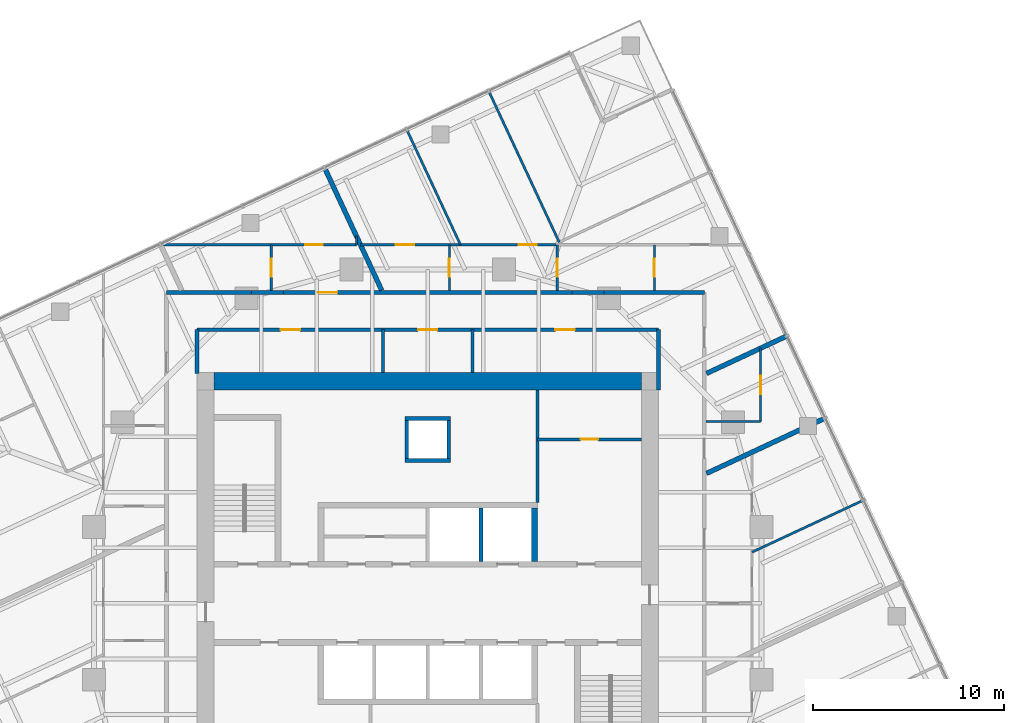
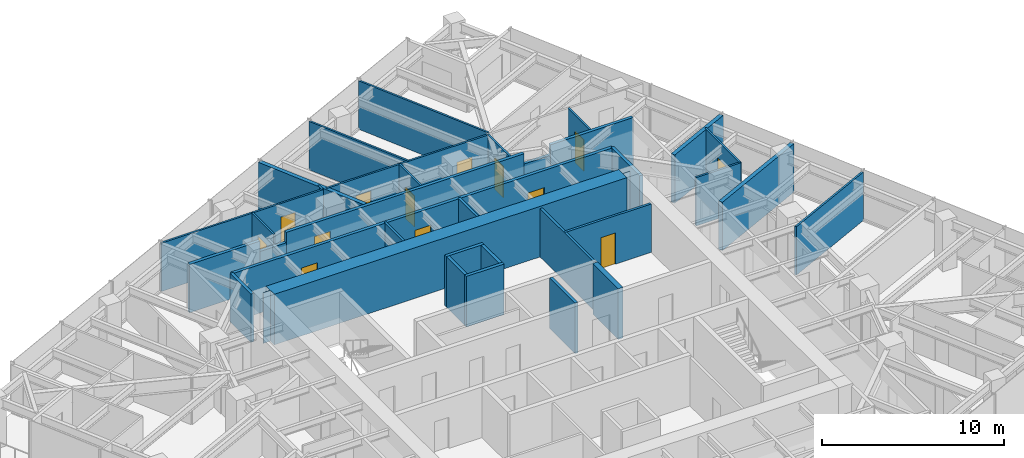
# One storey, part 11 of 13: 34 walls, 13 doors, 13 openings.
"""IFC4 building model written with IfcOpenShell, lengths in metres."""

import ifcopenshell
import ifcopenshell.guid

model = None  # the IFC model being written
_history = None  # IfcOwnerHistory: only IFC2X3 demands one
_inside = {}  # id of a spatial element -> (the spatial element, [elements in it])
_under = {}  # id of a project, library or spatial element -> (it, [spatial elements below it])
_declared = {}  # id of a project -> (the project, [libraries it declares])
_typed = {}  # id of a type object -> (the type object, [elements of that type])
_made_of = {}  # id of a material, layer set ... -> (it, [elements and type objects made of it])


def new_model(schema):
    """Start an empty IFC model of exactly this schema.

    Asked for "IFC4X3", IfcOpenShell would pick the latest addendum, in which some entities
    have other attributes; the version numbers below select the first issue.
    IFC2X3 requires an IfcOwnerHistory on every rooted entity: one is made here for all.
    """
    global model, _history
    if schema == "IFC4X3":
        model = ifcopenshell.file(schema_version=(4, 3, 0, 0))
    else:
        model = ifcopenshell.file(schema=schema)
    _inside.clear()
    _under.clear()
    _declared.clear()
    _typed.clear()
    _made_of.clear()
    _history = None
    if model.schema == "IFC2X3":
        org = make("IfcOrganization", Name="unknown")
        user = make(
            "IfcPersonAndOrganization",
            ThePerson=make("IfcPerson", FamilyName="unknown"),
            TheOrganization=org,
        )
        app = make(
            "IfcApplication",
            ApplicationDeveloper=org,
            Version="unknown",
            ApplicationFullName="unknown",
            ApplicationIdentifier="unknown",
        )
        _history = make(
            "IfcOwnerHistory",
            OwningUser=user,
            OwningApplication=app,
            ChangeAction="ADDED",
            CreationDate=0,
        )
    return model


def make(cls, **values):
    """One entity of the class cls with the attributes given. An attribute that is None is left unset."""
    return model.create_entity(
        cls, **{name: value for name, value in values.items() if value is not None}
    )


def rooted(cls, **values):
    """An entity with a GlobalId (a new one), such as an element, a storey or a relation."""
    return make(cls, GlobalId=ifcopenshell.guid.new(), OwnerHistory=_history, **values)


def si_unit(unit_type, name, prefix=None):
    """IfcSIUnit, for example si_unit("LENGTHUNIT", "METRE", prefix="MILLI")."""
    return make("IfcSIUnit", UnitType=unit_type, Prefix=prefix, Name=name)


def assignment(units):
    """IfcUnitAssignment: the units of a project."""
    return None if units is None else make("IfcUnitAssignment", Units=units)


def point(xyz):
    """IfcCartesianPoint."""
    return None if xyz is None else make("IfcCartesianPoint", Coordinates=xyz)


def direction(xyz):
    """IfcDirection."""
    return None if xyz is None else make("IfcDirection", DirectionRatios=xyz)


def frame(location, z_axis=None, x_axis=None):
    """IfcAxis2Placement3D, a coordinate frame: its origin and axes. An axis left out is left unset."""
    return make(
        "IfcAxis2Placement3D",
        Location=point(location),
        Axis=direction(z_axis),
        RefDirection=direction(x_axis),
    )


def frame_2d(location, x_axis=None):
    """IfcAxis2Placement2D, a coordinate frame in the plane: its origin and x axis."""
    return make(
        "IfcAxis2Placement2D", Location=point(location), RefDirection=direction(x_axis)
    )


def origin():
    """The frame at (0, 0, 0) with its axes left unset."""
    return frame((0.0, 0.0, 0.0))


def place(relative_to, where):
    """IfcLocalPlacement: puts the frame where relative to a parent placement (None: the world)."""
    return make(
        "IfcLocalPlacement", PlacementRelTo=relative_to, RelativePlacement=where
    )


def context(
    kind, dimensions, precision=None, world=None, true_north=None, identifier=None
):
    """IfcGeometricRepresentationContext, for example the 3D "Model" context."""
    return make(
        "IfcGeometricRepresentationContext",
        ContextIdentifier=identifier,
        ContextType=kind,
        CoordinateSpaceDimension=dimensions,
        Precision=precision,
        WorldCoordinateSystem=world,
        TrueNorth=true_north,
    )


def subcontext(parent, identifier, kind, view, scale=None):
    """IfcGeometricRepresentationSubContext, for example "Body" below "Model"."""
    return make(
        "IfcGeometricRepresentationSubContext",
        ContextIdentifier=identifier,
        ContextType=kind,
        ParentContext=parent,
        TargetScale=scale,
        TargetView=view,
    )


def project(units=None, contexts=None):
    """IfcProject with its units and contexts."""
    return rooted(
        "IfcProject",
        Name="project",
        RepresentationContexts=contexts,
        UnitsInContext=assignment(units),
    )


def spatial(cls, under=None, at=None, **own):
    """A site, building, storey or space (cls), placed at a placement, below another one or the project."""
    s = rooted(cls, ObjectPlacement=at, **own)
    if under is not None:
        _under.setdefault(under.id(), (under, []))[1].append(s)
    return s


def polyline(points):
    """IfcPolyline through the points."""
    return make("IfcPolyline", Points=[point(p) for p in points])


def profile(cls, at=None, kind="AREA", **sizes):
    """A parametric profile (cls). Its sizes go by their IFC names, for example OverallWidth=200.0."""
    return make(cls, ProfileType=kind, Position=at, **sizes)


def rectangle(**sizes):
    """IfcRectangleProfileDef."""
    return profile("IfcRectangleProfileDef", **sizes)


def outline(outer, holes=None, kind="AREA"):
    """IfcArbitraryClosedProfileDef: a profile drawn as a closed curve; with holes, ...WithVoids."""
    if holes is None:
        return make("IfcArbitraryClosedProfileDef", ProfileType=kind, OuterCurve=outer)
    return make(
        "IfcArbitraryProfileDefWithVoids",
        ProfileType=kind,
        OuterCurve=outer,
        InnerCurves=holes,
    )


def extrude(swept, where, along, depth):
    """IfcExtrudedAreaSolid: the profile swept, set in the frame where, extruded along a direction by depth."""
    return make(
        "IfcExtrudedAreaSolid",
        SweptArea=swept,
        Position=where,
        ExtrudedDirection=direction(along),
        Depth=depth,
    )


def shape(context_of_items, identifier, shape_type, items):
    """IfcShapeRepresentation: the items that make up one representation, for example the "Body"."""
    return make(
        "IfcShapeRepresentation",
        ContextOfItems=context_of_items,
        RepresentationIdentifier=identifier,
        RepresentationType=shape_type,
        Items=items,
    )


def material(Name=None, Category=None):
    """IfcMaterial."""
    return make("IfcMaterial", Name=Name, Category=Category)


def layer(
    of_material, thickness, ventilated=None, Name=None, Category=None, Priority=None
):
    """IfcMaterialLayer: one layer of a wall or slab, of a material (None: an air gap)."""
    return make(
        "IfcMaterialLayer",
        Material=of_material,
        LayerThickness=thickness,
        IsVentilated=ventilated,
        Name=Name,
        Category=Category,
        Priority=Priority,
    )


def layer_set(layers, Name=None):
    """IfcMaterialLayerSet."""
    return make("IfcMaterialLayerSet", MaterialLayers=layers, LayerSetName=Name)


def made_of(thing, what):
    """Note that an element or type object is made of a material, layer set ...; save() writes the relation."""
    if what is not None:
        _made_of.setdefault(what.id(), (what, []))[1].append(thing)
    return thing


def type_object(cls, material=None, **own):
    """A type object (cls), such as IfcWallType, which elements share."""
    return made_of(rooted(cls, **own), material)


def element(
    cls,
    number,
    at=None,
    inside=None,
    cuts=None,
    type_object=None,
    material=None,
    context=None,
    identifier="Body",
    shape_type=None,
    held_by="IfcProductDefinitionShape",
    body=None,
    shapes=None,
    **own,
):
    """One element of the class cls, such as IfcWall. Its Tag is "e" and its number.

    at: its placement. inside: the storey or other place that contains it. cuts: it is an
    opening in that element (IfcRelVoidsElement). A single representation is given by context,
    identifier, shape_type and body (its items); several are given by shapes. held_by: the class
    of the entity that holds the representations. save() writes the other relations.
    """
    e = rooted(cls, Tag="e%d" % number, ObjectPlacement=at, **own)
    if body is not None:
        shapes = [shape(context, identifier, shape_type, body)]
    if shapes is not None:
        e.Representation = make(held_by, Representations=shapes)
    if inside is not None:
        _inside.setdefault(inside.id(), (inside, []))[1].append(e)
    if cuts is not None:
        rooted(
            "IfcRelVoidsElement", RelatingBuildingElement=cuts, RelatedOpeningElement=e
        )
    if type_object is not None:
        _typed.setdefault(type_object.id(), (type_object, []))[1].append(e)
    return made_of(e, material)


def fill(opening, filler):
    """IfcRelFillsElement: the door or window that sits in an opening."""
    return rooted(
        "IfcRelFillsElement",
        RelatingOpeningElement=opening,
        RelatedBuildingElement=filler,
    )


def aggregate(whole, parts):
    """IfcRelAggregates: a whole, such as a stair, and the parts it consists of."""
    return rooted("IfcRelAggregates", RelatingObject=whole, RelatedObjects=parts)


def save(model, path):
    """Write the relations noted so far, then the file.

    IfcRelAggregates (storeys below a building ...), IfcRelContainedInSpatialStructure (elements
    in a storey), IfcRelDefinesByType, IfcRelAssociatesMaterial and IfcRelDeclares: one each for
    every whole, place, type object, material and project.
    """
    for whole, parts in _under.values():
        aggregate(whole, parts)
    for where, things in _inside.values():
        rooted(
            "IfcRelContainedInSpatialStructure",
            RelatedElements=things,
            RelatingStructure=where,
        )
    for kind, things in _typed.values():
        rooted("IfcRelDefinesByType", RelatedObjects=things, RelatingType=kind)
    for what, things in _made_of.values():
        rooted("IfcRelAssociatesMaterial", RelatedObjects=things, RelatingMaterial=what)
    for by, libraries in _declared.values():
        rooted("IfcRelDeclares", RelatingContext=by, RelatedDefinitions=libraries)
    model.write(path)


model = new_model("IFC4")

# Units and contexts
model_context = context("Model", 3, precision=1e-05, world=origin(), true_north=direction((0.0, 1.0)))
body_context = subcontext(model_context, "Body", "Model", "MODEL_VIEW")
ifc_project = project(units=[si_unit("LENGTHUNIT", "METRE"), si_unit("AREAUNIT", "SQUARE_METRE"), si_unit("VOLUMEUNIT", "CUBIC_METRE"), si_unit("PLANEANGLEUNIT", "RADIAN"), si_unit("MASSUNIT", "GRAM", prefix="KILO")], contexts=[model_context])

# Site, building, storey
site_placement = place(None, origin())
site = spatial("IfcSite", under=ifc_project, at=site_placement, CompositionType="ELEMENT")
building_placement = place(site_placement, origin())
building = spatial("IfcBuilding", under=site, at=building_placement, Name="Torsade Residences", CompositionType="ELEMENT")
storey_placement = place(building_placement, frame((0.0, 0.0, 182.800048828125)))
storey = spatial("IfcBuildingStorey", under=building, at=storey_placement, Name="L50", CompositionType="ELEMENT", Elevation=182.800048828125)

# Walls
ifc_material_1 = material(Name="Concrete 80 MPa", Category="concrete")
ifc_layer_1 = layer(ifc_material_1, 0.300048828125)
ifc_layer_set_1 = layer_set([ifc_layer_1], Name="Concrete 80 MPa")
wall_type_1 = type_object("IfcWallType", Name="CORE INTERNAL WALL 300", PredefinedType="SHEAR", material=ifc_layer_set_1)
wall_1_placement = place(storey_placement, frame((45.60009765625, 32.199951171875, 0.0), z_axis=(0.0, 0.0, 1.0), x_axis=(0.0, 1.0, 0.0)))
element("IfcWall", 1, at=wall_1_placement, inside=storey, type_object=wall_type_1, Name="Core wall DN4 L50", PredefinedType="SHEAR", context=body_context, shape_type="SweptSolid", body=[
    extrude(rectangle(XDim=2.800048828125, YDim=0.300048828125, at=frame_2d((1.39990234375, 0.0))), origin(), (0.0, 0.0, 1.0), 3.39990234375),
])
ifc_material_2 = material(Name="Concrete 80 MPa", Category="concrete")
ifc_layer_2 = layer(ifc_material_2, 0.89990234375)
ifc_layer_set_2 = layer_set([ifc_layer_2], Name="Concrete 80 MPa")
wall_type_2 = type_object("IfcWallType", Name="CORE WALL 900", PredefinedType="SHEAR", material=ifc_layer_set_2)
wall_2_placement = place(storey_placement, frame((28.800048828125, 41.64990234375, 0.0), z_axis=(0.0, 0.0, 1.0), x_axis=(1.0, 0.0, 0.0)))
element("IfcWall", 2, at=wall_2_placement, inside=storey, type_object=wall_type_2, Name="Core wall N L50", PredefinedType="SHEAR", context=body_context, shape_type="SweptSolid", body=[
    extrude(outline(polyline([(0.0, -0.449951171875), (22.39990234375, -0.449951171875), (22.39990234375, -0.02490234375), (22.849853515625, -0.02490234375), (22.849853515625, 0.02490234375), (22.39990234375, 0.02490234375), (22.39990234375, 0.449951171875), (0.0, 0.449951171875), (0.0, 0.02490234375), (-0.449951171875, 0.02490234375), (-0.449951171875, -0.02490234375), (0.0, -0.02490234375), (0.0, -0.449951171875)])), origin(), (0.0, 0.0, 1.0), 3.39990234375),
])
ifc_material_3 = material(Name="Plasterboard on steel stud", Category="steel")
ifc_layer_3 = layer(ifc_material_3, 0.199951171875)
ifc_layer_set_3 = layer_set([ifc_layer_3], Name="Plasterboard on steel stud")
wall_type_3 = type_object("IfcWallType", Name="CORRIDOR WALL 200", PredefinedType="PARTITIONING", material=ifc_layer_set_3)
wall_3_placement = place(storey_placement, frame((54.5, 46.300048828125, 0.0), z_axis=(0.0, 0.0, 1.0), x_axis=(-1.0, 0.0, 0.0)))
element("IfcWall", 3, at=wall_3_placement, inside=storey, type_object=wall_type_3, Name="Corridor wall L50", PredefinedType="PARTITIONING", context=body_context, shape_type="SweptSolid", body=[
    extrude(rectangle(XDim=5.25830078125, YDim=0.199951171875, at=frame_2d((2.629150390625, 0.0))), origin(), (0.0, 0.0, 1.0), 3.25),
])
wall_4_placement = place(storey_placement, frame((49.24169921875, 46.300048828125, 0.0), z_axis=(0.0, 0.0, 1.0), x_axis=(-1.0, 0.0, 0.0)))
element("IfcWall", 4, at=wall_4_placement, inside=storey, type_object=wall_type_3, Name="Corridor wall L50", PredefinedType="PARTITIONING", context=body_context, shape_type="SweptSolid", body=[
    extrude(rectangle(XDim=1.683349609375, YDim=0.199951171875, at=frame_2d((0.841796875, 0.0))), origin(), (0.0, 0.0, 1.0), 2.550048828125),
])

# Wall, opening, door
wall_5_placement = place(storey_placement, frame((47.558349609375, 46.300048828125, 0.0), z_axis=(0.0, 0.0, 1.0), x_axis=(-1.0, 0.0, 0.0)))
wall_5 = element("IfcWall", 5, at=wall_5_placement, inside=storey, type_object=wall_type_3, Name="Corridor wall L50", PredefinedType="PARTITIONING", context=body_context, shape_type="SweptSolid", body=[
    extrude(rectangle(XDim=15.11669921875, YDim=0.199951171875, at=frame_2d((7.558349609375, 0.0))), origin(), (0.0, 0.0, 1.0), 3.25),
])
opening_1_placement = place(wall_5_placement, frame((12.29541015625, 0.0, 0.0)))
opening_1 = element("IfcOpeningElement", 6, at=opening_1_placement, cuts=wall_5, Name="Opening D01", PredefinedType="OPENING", context=body_context, shape_type="SweptSolid", body=[
    extrude(rectangle(XDim=1.02001953125, YDim=2.340087890625, at=frame_2d((0.510009765625, 1.169921875))), frame((0.0, 0.10986328125, 0.0), z_axis=(0.0, -1.0, 0.0), x_axis=(1.0, 0.0, 0.0)), (0.0, 0.0, 1.0), 0.219970703125),
])
ifc_material_4 = material(Name="Solid-core timber fire door", Category="wood")
door_type_1 = type_object("IfcDoorType", Name="APARTMENT ENTRY DOOR 1020x2340", OperationType="NOTDEFINED", PredefinedType="DOOR", material=ifc_material_4)
door_1_placement = place(opening_1_placement, origin())
door_1 = element("IfcDoor", 7, at=door_1_placement, inside=storey, type_object=door_type_1, Name="Door Residential corridor to Kitchen and dining", OperationType="SINGLE_SWING_LEFT", OverallHeight=2.340087890625, OverallWidth=1.02001953125, PredefinedType="DOOR", context=body_context, shape_type="SweptSolid", body=[
    extrude(rectangle(XDim=1.02001953125, YDim=2.340087890625, at=frame_2d((0.510009765625, 1.169921875))), frame((0.0, 0.02490234375, 0.0), z_axis=(0.0, -1.0, 0.0), x_axis=(1.0, 0.0, 0.0)), (0.0, 0.0, 1.0), 0.050048828125),
])
fill(opening_1, door_1)

# Walls
wall_6_placement = place(storey_placement, frame((32.441650390625, 46.300048828125, 0.0), z_axis=(0.0, 0.0, 1.0), x_axis=(-1.0, 0.0, 0.0)))
element("IfcWall", 8, at=wall_6_placement, inside=storey, type_object=wall_type_3, Name="Corridor wall L50", PredefinedType="PARTITIONING", context=body_context, shape_type="SweptSolid", body=[
    extrude(rectangle(XDim=1.683349609375, YDim=0.199951171875, at=frame_2d((0.841796875, 0.0))), origin(), (0.0, 0.0, 1.0), 2.550048828125),
])
wall_7_placement = place(storey_placement, frame((30.75830078125, 46.300048828125, 0.0), z_axis=(0.0, 0.0, 1.0), x_axis=(-1.0, 0.0, 0.0)))
element("IfcWall", 9, at=wall_7_placement, inside=storey, type_object=wall_type_3, Name="Corridor wall L50", PredefinedType="PARTITIONING", context=body_context, shape_type="SweptSolid", body=[
    extrude(rectangle(XDim=4.458251953125, YDim=0.199951171875, at=frame_2d((2.22900390625, 0.0))), origin(), (0.0, 0.0, 1.0), 3.25),
])

# Wall, openings, doors
wall_8_placement = place(storey_placement, frame((52.10009765625, 44.35009765625, 0.0), z_axis=(0.0, 0.0, 1.0), x_axis=(-1.0, 0.0, 0.0)))
wall_8 = element("IfcWall", 10, at=wall_8_placement, inside=storey, type_object=wall_type_3, Name="Corridor wall L50", PredefinedType="PARTITIONING", context=body_context, shape_type="SweptSolid", body=[
    extrude(rectangle(XDim=24.2001953125, YDim=0.199951171875, at=frame_2d((12.10009765625, 0.0))), origin(), (0.0, 0.0, 1.0), 3.25),
])
opening_2_placement = place(wall_8_placement, frame((18.788818359375, 0.0, 0.0)))
opening_2 = element("IfcOpeningElement", 11, at=opening_2_placement, cuts=wall_8, Name="Opening D03", PredefinedType="OPENING", context=body_context, shape_type="SweptSolid", body=[
    extrude(rectangle(XDim=1.02001953125, YDim=2.10009765625, at=frame_2d((0.510009765625, 1.050048828125))), frame((0.0, 0.10986328125, 0.0), z_axis=(0.0, -1.0, 0.0), x_axis=(1.0, 0.0, 0.0)), (0.0, 0.0, 1.0), 0.219970703125),
])
opening_3_placement = place(wall_8_placement, frame((4.391357421875, 0.0, 0.0)))
opening_3 = element("IfcOpeningElement", 12, at=opening_3_placement, cuts=wall_8, Name="Opening D03", PredefinedType="OPENING", context=body_context, shape_type="SweptSolid", body=[
    extrude(rectangle(XDim=1.02001953125, YDim=2.10009765625, at=frame_2d((0.510009765625, 1.050048828125))), frame((0.0, 0.10986328125, 0.0), z_axis=(0.0, -1.0, 0.0), x_axis=(1.0, 0.0, 0.0)), (0.0, 0.0, 1.0), 0.219970703125),
])
opening_4_placement = place(wall_8_placement, frame((11.590087890625, 0.0, 0.0)))
opening_4 = element("IfcOpeningElement", 13, at=opening_4_placement, cuts=wall_8, Name="Opening D03", PredefinedType="OPENING", context=body_context, shape_type="SweptSolid", body=[
    extrude(rectangle(XDim=1.02001953125, YDim=2.10009765625, at=frame_2d((0.510009765625, 1.050048828125))), frame((0.0, 0.10986328125, 0.0), z_axis=(0.0, -1.0, 0.0), x_axis=(1.0, 0.0, 0.0)), (0.0, 0.0, 1.0), 0.219970703125),
])
ifc_material_5 = material(Name="Steel-framed fire door", Category="steel")
door_type_2 = type_object("IfcDoorType", Name="FIRE DOOR 1020", OperationType="NOTDEFINED", PredefinedType="DOOR", material=ifc_material_5)
door_2_placement = place(opening_2_placement, origin())
door_2 = element("IfcDoor", 14, at=door_2_placement, inside=storey, type_object=door_type_2, Name="Door Residential corridor to Residents storage", OperationType="SINGLE_SWING_LEFT", OverallHeight=2.10009765625, OverallWidth=1.02001953125, PredefinedType="DOOR", context=body_context, shape_type="SweptSolid", body=[
    extrude(rectangle(XDim=1.02001953125, YDim=2.10009765625, at=frame_2d((0.510009765625, 1.050048828125))), frame((0.0, 0.02490234375, 0.0), z_axis=(0.0, -1.0, 0.0), x_axis=(1.0, 0.0, 0.0)), (0.0, 0.0, 1.0), 0.050048828125),
])
fill(opening_2, door_2)
door_3_placement = place(opening_3_placement, origin())
door_3 = element("IfcDoor", 15, at=door_3_placement, inside=storey, type_object=door_type_2, Name="Door Residential corridor to Parcel room", OperationType="SINGLE_SWING_RIGHT", OverallHeight=2.10009765625, OverallWidth=1.02001953125, PredefinedType="DOOR", context=body_context, shape_type="SweptSolid", body=[
    extrude(rectangle(XDim=1.02001953125, YDim=2.10009765625, at=frame_2d((0.510009765625, 1.050048828125))), frame((0.0, 0.02490234375, 0.0), z_axis=(0.0, -1.0, 0.0), x_axis=(1.0, 0.0, 0.0)), (0.0, 0.0, 1.0), 0.050048828125),
])
fill(opening_3, door_3)
door_4_placement = place(opening_4_placement, origin())
door_4 = element("IfcDoor", 16, at=door_4_placement, inside=storey, type_object=door_type_2, Name="Door Residential corridor to Bulk store", OperationType="SINGLE_SWING_LEFT", OverallHeight=2.10009765625, OverallWidth=1.02001953125, PredefinedType="DOOR", context=body_context, shape_type="SweptSolid", body=[
    extrude(rectangle(XDim=1.02001953125, YDim=2.10009765625, at=frame_2d((0.510009765625, 1.050048828125))), frame((0.0, 0.02490234375, 0.0), z_axis=(0.0, -1.0, 0.0), x_axis=(1.0, 0.0, 0.0)), (0.0, 0.0, 1.0), 0.050048828125),
])
fill(opening_4, door_4)

# Walls
wall_9_placement = place(storey_placement, frame((27.89990234375, 44.35009765625, 0.0), z_axis=(0.0, 0.0, 1.0), x_axis=(0.0, -1.0, 0.0)))
element("IfcWall", 17, at=wall_9_placement, inside=storey, type_object=wall_type_3, Name="Corridor wall L50", PredefinedType="PARTITIONING", context=body_context, shape_type="SweptSolid", body=[
    extrude(rectangle(XDim=2.300048828125, YDim=0.199951171875, at=frame_2d((1.14990234375, 0.0))), origin(), (0.0, 0.0, 1.0), 3.25),
])
wall_10_placement = place(storey_placement, frame((52.10009765625, 41.179931640625, 0.0), z_axis=(0.0, 0.0, 1.0), x_axis=(0.0, 1.0, 0.0)))
element("IfcWall", 18, at=wall_10_placement, inside=storey, type_object=wall_type_3, Name="Corridor wall L50", PredefinedType="PARTITIONING", context=body_context, shape_type="SweptSolid", body=[
    extrude(rectangle(XDim=3.170166015625, YDim=0.199951171875, at=frame_2d((1.5849609375, 0.0))), origin(), (0.0, 0.0, 1.0), 3.25),
])
ifc_material_6 = material(Name="Reinforced blockwork", Category="masonry")
ifc_layer_4 = layer(ifc_material_6, 0.199951171875)
ifc_layer_set_4 = layer_set([ifc_layer_4], Name="Reinforced blockwork")
wall_type_4 = type_object("IfcWallType", Name="LIFT SHAFT DIVIDING WALL 200", PredefinedType="SOLIDWALL", material=ifc_layer_set_4)
wall_11_placement = place(storey_placement, frame((42.800048828125, 32.199951171875, 0.0), z_axis=(0.0, 0.0, 1.0), x_axis=(0.0, 1.0, 0.0)))
element("IfcWall", 19, at=wall_11_placement, inside=storey, type_object=wall_type_4, Name="Core wall DN3 L50", PredefinedType="SOLIDWALL", context=body_context, shape_type="SweptSolid", body=[
    extrude(rectangle(XDim=2.800048828125, YDim=0.199951171875, at=frame_2d((1.39990234375, 0.0))), origin(), (0.0, 0.0, 1.0), 3.39990234375),
])
ifc_material_7 = material(Name="Plasterboard on steel stud", Category="steel")
ifc_layer_5 = layer(ifc_material_7, 0.1201171875)
ifc_layer_set_5 = layer_set([ifc_layer_5], Name="Plasterboard on steel stud")
wall_type_5 = type_object("IfcWallType", Name="PARTITION 120", PredefinedType="PARTITIONING", material=ifc_layer_set_5)
wall_12_placement = place(storey_placement, frame((57.0, 32.686279296875, 0.0), z_axis=(0.0, 0.0, 1.0), x_axis=(0.906305562553, 0.422623032129, 0.0)))
element("IfcWall", 20, at=wall_12_placement, inside=storey, type_object=wall_type_5, Name="Partition L50", PredefinedType="PARTITIONING", context=body_context, shape_type="SweptSolid", body=[
    extrude(rectangle(XDim=6.41748046875, YDim=0.1201171875, at=frame_2d((3.208740234375, 0.0))), origin(), (0.0, 0.0, 1.0), 3.25),
])
wall_13_placement = place(storey_placement, frame((54.60009765625, 39.5380859375, 0.0), z_axis=(0.0, 0.0, 1.0), x_axis=(1.0, 0.0, 0.0)))
element("IfcWall", 21, at=wall_13_placement, inside=storey, type_object=wall_type_5, Name="Partition L50", PredefinedType="PARTITIONING", context=body_context, shape_type="SweptSolid", body=[
    extrude(rectangle(XDim=2.849853515625, YDim=0.1201171875, at=frame_2d((1.4248046875, 0.0))), origin(), (0.0, 0.0, 1.0), 3.25),
])

# Wall, opening, door
wall_14_placement = place(storey_placement, frame((57.449951171875, 39.5380859375, 0.0), z_axis=(0.0, 0.0, 1.0), x_axis=(0.0, 1.0, 0.0)))
wall_14 = element("IfcWall", 22, at=wall_14_placement, inside=storey, type_object=wall_type_5, Name="Partition L50", PredefinedType="PARTITIONING", context=body_context, shape_type="SweptSolid", body=[
    extrude(rectangle(XDim=3.840087890625, YDim=0.1201171875, at=frame_2d((1.919921875, 0.0))), origin(), (0.0, 0.0, 1.0), 3.25),
])
opening_5_placement = place(wall_14_placement, frame((1.43994140625, 0.0, 0.0)))
opening_5 = element("IfcOpeningElement", 23, at=opening_5_placement, cuts=wall_14, Name="Opening D05", PredefinedType="OPENING", context=body_context, shape_type="SweptSolid", body=[
    extrude(rectangle(XDim=0.9599609375, YDim=2.10009765625, at=frame_2d((0.47998046875, 1.050048828125))), frame((0.0, 0.070068359375, 0.0), z_axis=(0.0, -1.0, 0.0), x_axis=(1.0, 0.0, 0.0)), (0.0, 0.0, 1.0), 0.14013671875),
])
ifc_material_8 = material(Name="Hollow-core timber door in a steel cavity frame", Category="steel")
door_type_3 = type_object("IfcDoorType", Name="BATHROOM CAVITY SLIDING DOOR 960", OperationType="SLIDING_TO_LEFT", PredefinedType="DOOR", material=ifc_material_8)
door_5_placement = place(opening_5_placement, origin())
door_5 = element("IfcDoor", 24, at=door_5_placement, inside=storey, type_object=door_type_3, Name="Door Kitchen, living and sleeping to Bathroom", OperationType="SLIDING_TO_LEFT", OverallHeight=2.10009765625, OverallWidth=0.9599609375, PredefinedType="DOOR", context=body_context, shape_type="SweptSolid", body=[
    extrude(rectangle(XDim=0.9599609375, YDim=2.10009765625, at=frame_2d((0.47998046875, 1.050048828125))), frame((0.0, 0.02490234375, 0.0), z_axis=(0.0, -1.0, 0.0), x_axis=(1.0, 0.0, 0.0)), (0.0, 0.0, 1.0), 0.050048828125),
])
fill(opening_5, door_5)

wall_15_placement = place(storey_placement, frame((51.886474609375, 46.39990234375, 0.0), z_axis=(0.0, 0.0, 1.0), x_axis=(0.0, 1.0, 0.0)))
wall_15 = element("IfcWall", 25, at=wall_15_placement, inside=storey, type_object=wall_type_5, Name="Partition L50", PredefinedType="PARTITIONING", context=body_context, shape_type="SweptSolid", body=[
    extrude(rectangle(XDim=2.400146484375, YDim=0.1201171875, at=frame_2d((1.2001953125, 0.0))), origin(), (0.0, 0.0, 1.0), 3.25),
])
opening_6_placement = place(wall_15_placement, frame((0.719970703125, 0.0, 0.0)))
opening_6 = element("IfcOpeningElement", 26, at=opening_6_placement, cuts=wall_15, Name="Opening D05", PredefinedType="OPENING", context=body_context, shape_type="SweptSolid", body=[
    extrude(rectangle(XDim=0.9599609375, YDim=2.10009765625, at=frame_2d((0.47998046875, 1.050048828125))), frame((0.0, 0.070068359375, 0.0), z_axis=(0.0, -1.0, 0.0), x_axis=(1.0, 0.0, 0.0)), (0.0, 0.0, 1.0), 0.14013671875),
])
door_6_placement = place(opening_6_placement, origin())
door_6 = element("IfcDoor", 27, at=door_6_placement, inside=storey, type_object=door_type_3, Name="Door Kitchen and dining to Ensuite", OperationType="SLIDING_TO_LEFT", OverallHeight=2.10009765625, OverallWidth=0.9599609375, PredefinedType="DOOR", context=body_context, shape_type="SweptSolid", body=[
    extrude(rectangle(XDim=0.9599609375, YDim=2.10009765625, at=frame_2d((0.47998046875, 1.050048828125))), frame((0.0, 0.02490234375, 0.0), z_axis=(0.0, -1.0, 0.0), x_axis=(1.0, 0.0, 0.0)), (0.0, 0.0, 1.0), 0.050048828125),
])
fill(opening_6, door_6)

wall_16_placement = place(storey_placement, frame((46.782958984375, 48.800048828125, 0.0), z_axis=(0.0, 0.0, 1.0), x_axis=(0.0, -1.0, 0.0)))
wall_16 = element("IfcWall", 28, at=wall_16_placement, inside=storey, type_object=wall_type_5, Name="Partition L50", PredefinedType="PARTITIONING", context=body_context, shape_type="SweptSolid", body=[
    extrude(rectangle(XDim=2.400146484375, YDim=0.1201171875, at=frame_2d((1.2001953125, 0.0))), origin(), (0.0, 0.0, 1.0), 3.25),
])
opening_7_placement = place(wall_16_placement, frame((0.719970703125, 0.0, 0.0)))
opening_7 = element("IfcOpeningElement", 29, at=opening_7_placement, cuts=wall_16, Name="Opening D05", PredefinedType="OPENING", context=body_context, shape_type="SweptSolid", body=[
    extrude(rectangle(XDim=0.9599609375, YDim=2.10009765625, at=frame_2d((0.47998046875, 1.050048828125))), frame((0.0, 0.070068359375, 0.0), z_axis=(0.0, -1.0, 0.0), x_axis=(1.0, 0.0, 0.0)), (0.0, 0.0, 1.0), 0.14013671875),
])
door_7_placement = place(opening_7_placement, origin())
door_7 = element("IfcDoor", 30, at=door_7_placement, inside=storey, type_object=door_type_3, Name="Door Ensuite to Bathroom", OperationType="SLIDING_TO_LEFT", OverallHeight=2.10009765625, OverallWidth=0.9599609375, PredefinedType="DOOR", context=body_context, shape_type="SweptSolid", body=[
    extrude(rectangle(XDim=0.9599609375, YDim=2.10009765625, at=frame_2d((0.47998046875, 1.050048828125))), frame((0.0, 0.02490234375, 0.0), z_axis=(0.0, -1.0, 0.0), x_axis=(1.0, 0.0, 0.0)), (0.0, 0.0, 1.0), 0.050048828125),
])
fill(opening_7, door_7)

wall_17_placement = place(storey_placement, frame((41.13720703125, 46.39990234375, 0.0), z_axis=(0.0, 0.0, 1.0), x_axis=(0.0, 1.0, 0.0)))
wall_17 = element("IfcWall", 31, at=wall_17_placement, inside=storey, type_object=wall_type_5, Name="Partition L50", PredefinedType="PARTITIONING", context=body_context, shape_type="SweptSolid", body=[
    extrude(rectangle(XDim=2.400146484375, YDim=0.1201171875, at=frame_2d((1.2001953125, 0.0))), origin(), (0.0, 0.0, 1.0), 3.25),
])
opening_8_placement = place(wall_17_placement, frame((0.719970703125, 0.0, 0.0)))
opening_8 = element("IfcOpeningElement", 32, at=opening_8_placement, cuts=wall_17, Name="Opening D05", PredefinedType="OPENING", context=body_context, shape_type="SweptSolid", body=[
    extrude(rectangle(XDim=0.9599609375, YDim=2.10009765625, at=frame_2d((0.47998046875, 1.050048828125))), frame((0.0, 0.070068359375, 0.0), z_axis=(0.0, -1.0, 0.0), x_axis=(1.0, 0.0, 0.0)), (0.0, 0.0, 1.0), 0.14013671875),
])
door_8_placement = place(opening_8_placement, origin())
door_8 = element("IfcDoor", 33, at=door_8_placement, inside=storey, type_object=door_type_3, Name="Door Bathroom to Laundry", OperationType="SLIDING_TO_LEFT", OverallHeight=2.10009765625, OverallWidth=0.9599609375, PredefinedType="DOOR", context=body_context, shape_type="SweptSolid", body=[
    extrude(rectangle(XDim=0.9599609375, YDim=2.10009765625, at=frame_2d((0.47998046875, 1.050048828125))), frame((0.0, 0.02490234375, 0.0), z_axis=(0.0, -1.0, 0.0), x_axis=(1.0, 0.0, 0.0)), (0.0, 0.0, 1.0), 0.050048828125),
])
fill(opening_8, door_8)

# Wall, openings, doors
wall_18_placement = place(storey_placement, frame((36.474609375, 48.800048828125, 0.0), z_axis=(0.0, 0.0, 1.0), x_axis=(1.0, 0.0, 0.0)))
wall_18 = element("IfcWall", 34, at=wall_18_placement, inside=storey, type_object=wall_type_5, Name="Partition L50", PredefinedType="PARTITIONING", context=body_context, shape_type="SweptSolid", body=[
    extrude(rectangle(XDim=10.241943359375, YDim=0.1201171875, at=frame_2d((5.12109375, 0.0))), origin(), (0.0, 0.0, 1.0), 3.25),
])
opening_9_placement = place(wall_18_placement, frame((8.283935546875, 0.0, 0.0)))
opening_9 = element("IfcOpeningElement", 35, at=opening_9_placement, cuts=wall_18, Name="Opening D05", PredefinedType="OPENING", context=body_context, shape_type="SweptSolid", body=[
    extrude(rectangle(XDim=0.9599609375, YDim=2.10009765625, at=frame_2d((0.47998046875, 1.050048828125))), frame((0.0, 0.070068359375, 0.0), z_axis=(0.0, -1.0, 0.0), x_axis=(1.0, 0.0, 0.0)), (0.0, 0.0, 1.0), 0.14013671875),
])
opening_10_placement = place(wall_18_placement, frame((1.851318359375, 0.0, 0.0)))
opening_10 = element("IfcOpeningElement", 36, at=opening_10_placement, cuts=wall_18, Name="Opening D05", PredefinedType="OPENING", context=body_context, shape_type="SweptSolid", body=[
    extrude(rectangle(XDim=0.9599609375, YDim=2.10009765625, at=frame_2d((0.47998046875, 1.050048828125))), frame((0.0, 0.070068359375, 0.0), z_axis=(0.0, -1.0, 0.0), x_axis=(1.0, 0.0, 0.0)), (0.0, 0.0, 1.0), 0.14013671875),
])
door_9_placement = place(opening_9_placement, origin())
door_9 = element("IfcDoor", 37, at=door_9_placement, inside=storey, type_object=door_type_3, Name="Door Bathroom to Bedroom 1", OperationType="SLIDING_TO_LEFT", OverallHeight=2.10009765625, OverallWidth=0.9599609375, PredefinedType="DOOR", context=body_context, shape_type="SweptSolid", body=[
    extrude(rectangle(XDim=0.9599609375, YDim=2.10009765625, at=frame_2d((0.47998046875, 1.050048828125))), frame((0.0, 0.02490234375, 0.0), z_axis=(0.0, -1.0, 0.0), x_axis=(1.0, 0.0, 0.0)), (0.0, 0.0, 1.0), 0.050048828125),
])
fill(opening_9, door_9)
door_10_placement = place(opening_10_placement, origin())
door_10 = element("IfcDoor", 38, at=door_10_placement, inside=storey, type_object=door_type_3, Name="Door Laundry to Bedroom 2", OperationType="SLIDING_TO_LEFT", OverallHeight=2.10009765625, OverallWidth=0.9599609375, PredefinedType="DOOR", context=body_context, shape_type="SweptSolid", body=[
    extrude(rectangle(XDim=0.9599609375, YDim=2.10009765625, at=frame_2d((0.47998046875, 1.050048828125))), frame((0.0, 0.02490234375, 0.0), z_axis=(0.0, -1.0, 0.0), x_axis=(1.0, 0.0, 0.0)), (0.0, 0.0, 1.0), 0.050048828125),
])
fill(opening_10, door_10)

# Walls
wall_19_placement = place(storey_placement, frame((46.892578125, 48.937255859375, 0.0), z_axis=(0.0, 0.0, 1.0), x_axis=(-0.422638395676, 0.906298398156, 0.0)))
element("IfcWall", 39, at=wall_19_placement, inside=storey, type_object=wall_type_5, Name="Partition L50", PredefinedType="PARTITIONING", context=body_context, shape_type="SweptSolid", body=[
    extrude(rectangle(XDim=8.7099609375, YDim=0.1201171875, at=frame_2d((4.35498046875, 0.0))), origin(), (0.0, 0.0, 1.0), 3.25),
])
wall_20_placement = place(storey_placement, frame((41.715576171875, 48.800048828125, 0.0), z_axis=(0.0, 0.0, 1.0), x_axis=(-0.422642131948, 0.906296655793, 0.0)))
element("IfcWall", 40, at=wall_20_placement, inside=storey, type_object=wall_type_5, Name="Partition L50", PredefinedType="PARTITIONING", context=body_context, shape_type="SweptSolid", body=[
    extrude(rectangle(XDim=6.646484375, YDim=0.1201171875, at=frame_2d((3.3232421875, 0.0))), origin(), (0.0, 0.0, 1.0), 3.25),
])

# Wall, opening, door
wall_21_placement = place(storey_placement, frame((25.99267578125, 48.800048828125, 0.0), z_axis=(0.0, 0.0, 1.0), x_axis=(1.0, 0.0, 0.0)))
wall_21 = element("IfcWall", 41, at=wall_21_placement, inside=storey, type_object=wall_type_5, Name="Partition L50", PredefinedType="PARTITIONING", context=body_context, shape_type="SweptSolid", body=[
    extrude(rectangle(XDim=10.27197265625, YDim=0.1201171875, at=frame_2d((5.135986328125, 0.0))), origin(), (0.0, 0.0, 1.0), 3.25),
])
opening_11_placement = place(wall_21_placement, frame((7.576171875, 0.0, 0.0)))
opening_11 = element("IfcOpeningElement", 42, at=opening_11_placement, cuts=wall_21, Name="Opening D02", PredefinedType="OPENING", context=body_context, shape_type="SweptSolid", body=[
    extrude(rectangle(XDim=0.919921875, YDim=2.340087890625, at=frame_2d((0.4599609375, 1.169921875))), frame((0.0, 0.070068359375, 0.0), z_axis=(0.0, -1.0, 0.0), x_axis=(1.0, 0.0, 0.0)), (0.0, 0.0, 1.0), 0.14013671875),
])
ifc_material_9 = material(Name="Hollow-core timber door", Category="wood")
door_type_4 = type_object("IfcDoorType", Name="INTERNAL DOOR 920x2340", OperationType="NOTDEFINED", PredefinedType="DOOR", material=ifc_material_9)
door_11_placement = place(opening_11_placement, origin())
door_11 = element("IfcDoor", 43, at=door_11_placement, inside=storey, type_object=door_type_4, Name="Door Kitchen and dining to Studio living and sleeping", OperationType="SINGLE_SWING_RIGHT", OverallHeight=2.340087890625, OverallWidth=0.919921875, PredefinedType="DOOR", context=body_context, shape_type="SweptSolid", body=[
    extrude(rectangle(XDim=0.919921875, YDim=2.340087890625, at=frame_2d((0.4599609375, 1.169921875))), frame((0.0, 0.02490234375, 0.0), z_axis=(0.0, -1.0, 0.0), x_axis=(1.0, 0.0, 0.0)), (0.0, 0.0, 1.0), 0.050048828125),
])
fill(opening_11, door_11)

# Wall
wall_22_placement = place(storey_placement, frame((36.2646484375, 48.800048828125, 0.0), z_axis=(0.0, 0.0, 1.0), x_axis=(0.0, 1.0, 0.0)))
element("IfcWall", 44, at=wall_22_placement, inside=storey, type_object=wall_type_5, Name="Partition L50", PredefinedType="PARTITIONING", context=body_context, shape_type="SweptSolid", body=[
    extrude(rectangle(XDim=0.449951171875, YDim=0.1201171875, at=frame_2d((0.22509765625, 0.0))), origin(), (0.0, 0.0, 1.0), 3.25),
])

# Wall, opening, door
wall_23_placement = place(storey_placement, frame((31.79296875, 46.39990234375, 0.0), z_axis=(0.0, 0.0, 1.0), x_axis=(0.0, 1.0, 0.0)))
wall_23 = element("IfcWall", 45, at=wall_23_placement, inside=storey, type_object=wall_type_5, Name="Partition L50", PredefinedType="PARTITIONING", context=body_context, shape_type="SweptSolid", body=[
    extrude(rectangle(XDim=2.400146484375, YDim=0.1201171875, at=frame_2d((1.2001953125, 0.0))), origin(), (0.0, 0.0, 1.0), 3.25),
])
opening_12_placement = place(wall_23_placement, frame((0.719970703125, 0.0, 0.0)))
opening_12 = element("IfcOpeningElement", 46, at=opening_12_placement, cuts=wall_23, Name="Opening D05", PredefinedType="OPENING", context=body_context, shape_type="SweptSolid", body=[
    extrude(rectangle(XDim=0.9599609375, YDim=2.10009765625, at=frame_2d((0.47998046875, 1.050048828125))), frame((0.0, 0.070068359375, 0.0), z_axis=(0.0, -1.0, 0.0), x_axis=(1.0, 0.0, 0.0)), (0.0, 0.0, 1.0), 0.14013671875),
])
door_12_placement = place(opening_12_placement, origin())
door_12 = element("IfcDoor", 47, at=door_12_placement, inside=storey, type_object=door_type_3, Name="Door Kitchen and dining to Bathroom", OperationType="SLIDING_TO_LEFT", OverallHeight=2.10009765625, OverallWidth=0.9599609375, PredefinedType="DOOR", context=body_context, shape_type="SweptSolid", body=[
    extrude(rectangle(XDim=0.9599609375, YDim=2.10009765625, at=frame_2d((0.47998046875, 1.050048828125))), frame((0.0, 0.02490234375, 0.0), z_axis=(0.0, -1.0, 0.0), x_axis=(1.0, 0.0, 0.0)), (0.0, 0.0, 1.0), 0.050048828125),
])
fill(opening_12, door_12)

# Walls
ifc_material_10 = material(Name="Masonry-lined stud party wall", Category="masonry")
ifc_layer_6 = layer(ifc_material_10, 0.25)
ifc_layer_set_6 = layer_set([ifc_layer_6], Name="Masonry-lined stud party wall")
wall_type_6 = type_object("IfcWallType", Name="PARTY WALL 250", PredefinedType="PARTITIONING", material=ifc_layer_set_6)
wall_24_placement = place(storey_placement, frame((60.844970703125, 39.72021484375, 0.0), z_axis=(0.0, 0.0, 1.0), x_axis=(-0.90631378723, -0.422605394046, 0.0)))
element("IfcWall", 48, at=wall_24_placement, inside=storey, type_object=wall_type_6, Name="Party wall L50", PredefinedType="PARTITIONING", context=body_context, shape_type="SweptSolid", body=[
    extrude(rectangle(XDim=6.872314453125, YDim=0.25, at=frame_2d((3.43603515625, 0.0))), origin(), (0.0, 0.0, 1.0), 3.25),
])
wall_25_placement = place(storey_placement, frame((58.837646484375, 44.025146484375, 0.0), z_axis=(0.0, 0.0, 1.0), x_axis=(-0.906317010604, -0.422598481173, 0.0)))
element("IfcWall", 49, at=wall_25_placement, inside=storey, type_object=wall_type_6, Name="Party wall L50", PredefinedType="PARTITIONING", context=body_context, shape_type="SweptSolid", body=[
    extrude(rectangle(XDim=4.657470703125, YDim=0.25, at=frame_2d((2.32861328125, 0.0))), origin(), (0.0, 0.0, 1.0), 3.25),
])
wall_26_placement = place(storey_placement, frame((34.584716796875, 52.8525390625, 0.0), z_axis=(0.0, 0.0, 1.0), x_axis=(0.422623839356, -0.906305186131, 0.0)))
element("IfcWall", 50, at=wall_26_placement, inside=storey, type_object=wall_type_6, Name="Party wall L50", PredefinedType="PARTITIONING", context=body_context, shape_type="SweptSolid", body=[
    extrude(rectangle(XDim=7.101318359375, YDim=0.25, at=frame_2d((3.55078125, 0.0))), origin(), (0.0, 0.0, 1.0), 3.25),
])
ifc_material_11 = material(Name="Reinforced blockwork", Category="masonry")
ifc_layer_7 = layer(ifc_material_11, 0.199951171875)
ifc_layer_set_7 = layer_set([ifc_layer_7], Name="Reinforced blockwork")
wall_type_7 = type_object("IfcWallType", Name="RISER SHAFT WALL 200", PredefinedType="SOLIDWALL", material=ifc_layer_set_7)
for number, where, z_axis, x_axis, name in (
    (51, (38.89990234375, 37.60009765625, 0.0), (0.0, 0.0, 1.0), (0.0, 1.0, 0.0), "Core wall RS1a L50"),
    (52, (41.10009765625, 37.60009765625, 0.0), (0.0, 0.0, 1.0), (0.0, 1.0, 0.0), "Core wall RS1b L50"),
):
    element("IfcWall", number, at=place(storey_placement, frame(where, z_axis=z_axis, x_axis=x_axis)), inside=storey, type_object=wall_type_7, Name=name, PredefinedType="SOLIDWALL", context=body_context, shape_type="SweptSolid", body=[
        extrude(rectangle(XDim=2.0, YDim=0.199951171875, at=frame_2d((1.0, 0.0))), origin(), (0.0, 0.0, 1.0), 3.39990234375),
    ])
for number, where, z_axis, x_axis, name in (
    (53, (38.800048828125, 37.5, 0.0), (0.0, 0.0, 1.0), (1.0, 0.0, 0.0), "Core wall RS1c L50"),
    (54, (38.800048828125, 39.699951171875, 0.0), (0.0, 0.0, 1.0), (1.0, 0.0, 0.0), "Core wall RS1d L50"),
):
    element("IfcWall", number, at=place(storey_placement, frame(where, z_axis=z_axis, x_axis=x_axis)), inside=storey, type_object=wall_type_7, Name=name, PredefinedType="SOLIDWALL", context=body_context, shape_type="SweptSolid", body=[
        extrude(rectangle(XDim=2.39990234375, YDim=0.199951171875, at=frame_2d((1.199951171875, 0.0))), origin(), (0.0, 0.0, 1.0), 3.39990234375),
    ])
ifc_material_12 = material(Name="Reinforced blockwork", Category="masonry")
ifc_layer_8 = layer(ifc_material_12, 0.14990234375)
ifc_layer_set_8 = layer_set([ifc_layer_8], Name="Reinforced blockwork")
wall_type_8 = type_object("IfcWallType", Name="SERVICE ROOM WALL 150", PredefinedType="SOLIDWALL", material=ifc_layer_set_8)
wall_27_placement = place(storey_placement, frame((45.75, 41.199951171875, 0.0), z_axis=(0.0, 0.0, 1.0), x_axis=(0.0, -1.0, 0.0)))
element("IfcWall", 55, at=wall_27_placement, inside=storey, type_object=wall_type_8, Name="Service room wall L50", PredefinedType="SOLIDWALL", context=body_context, shape_type="SweptSolid", body=[
    extrude(rectangle(XDim=5.89990234375, YDim=0.14990234375, at=frame_2d((2.949951171875, 0.0))), origin(), (0.0, 0.0, 1.0), 3.25),
])

# Wall, opening, door
wall_28_placement = place(storey_placement, frame((45.75, 38.60009765625, 0.0), z_axis=(0.0, 0.0, 1.0), x_axis=(1.0, 0.0, 0.0)))
wall_28 = element("IfcWall", 56, at=wall_28_placement, inside=storey, type_object=wall_type_8, Name="Service room wall L50", PredefinedType="SOLIDWALL", context=body_context, shape_type="SweptSolid", body=[
    extrude(rectangle(XDim=5.449951171875, YDim=0.14990234375, at=frame_2d((2.72509765625, 0.0))), origin(), (0.0, 0.0, 1.0), 3.25),
])
opening_13_placement = place(wall_28_placement, frame((2.264892578125, 0.0, 0.0)))
opening_13 = element("IfcOpeningElement", 57, at=opening_13_placement, cuts=wall_28, Name="Opening D06", PredefinedType="OPENING", context=body_context, shape_type="SweptSolid", body=[
    extrude(rectangle(XDim=0.919921875, YDim=2.10009765625, at=frame_2d((0.4599609375, 1.050048828125))), frame((0.0, 0.0849609375, 0.0), z_axis=(0.0, -1.0, 0.0), x_axis=(1.0, 0.0, 0.0)), (0.0, 0.0, 1.0), 0.169921875),
])
ifc_material_13 = material(Name="Steel-framed fire door", Category="steel")
door_type_5 = type_object("IfcDoorType", Name="FIRE DOOR 920", OperationType="NOTDEFINED", PredefinedType="DOOR", material=ifc_material_13)
door_13_placement = place(opening_13_placement, origin())
door_13 = element("IfcDoor", 58, at=door_13_placement, inside=storey, type_object=door_type_5, Name="Door Refuse room to Linen store", OperationType="SINGLE_SWING_LEFT", OverallHeight=2.10009765625, OverallWidth=0.919921875, PredefinedType="DOOR", context=body_context, shape_type="SweptSolid", body=[
    extrude(rectangle(XDim=0.919921875, YDim=2.10009765625, at=frame_2d((0.4599609375, 1.050048828125))), frame((0.0, 0.02490234375, 0.0), z_axis=(0.0, -1.0, 0.0), x_axis=(1.0, 0.0, 0.0)), (0.0, 0.0, 1.0), 0.050048828125),
])
fill(opening_13, door_13)

# Walls
for number, where, z_axis, x_axis, name in (
    (59, (37.652587890625, 42.10009765625, 0.0), (0.0, 0.0, 1.0), (0.0, 1.0, 0.0), "Service room wall L50"),
    (60, (42.347412109375, 42.10009765625, 0.0), (0.0, 0.0, 1.0), (0.0, 1.0, 0.0), "Service room wall L50"),
):
    element("IfcWall", number, at=place(storey_placement, frame(where, z_axis=z_axis, x_axis=x_axis)), inside=storey, type_object=wall_type_8, Name=name, PredefinedType="SOLIDWALL", context=body_context, shape_type="SweptSolid", body=[
        extrude(rectangle(XDim=2.25, YDim=0.14990234375, at=frame_2d((1.125, 0.0))), origin(), (0.0, 0.0, 1.0), 3.25),
    ])

save(model, "model.ifc")
